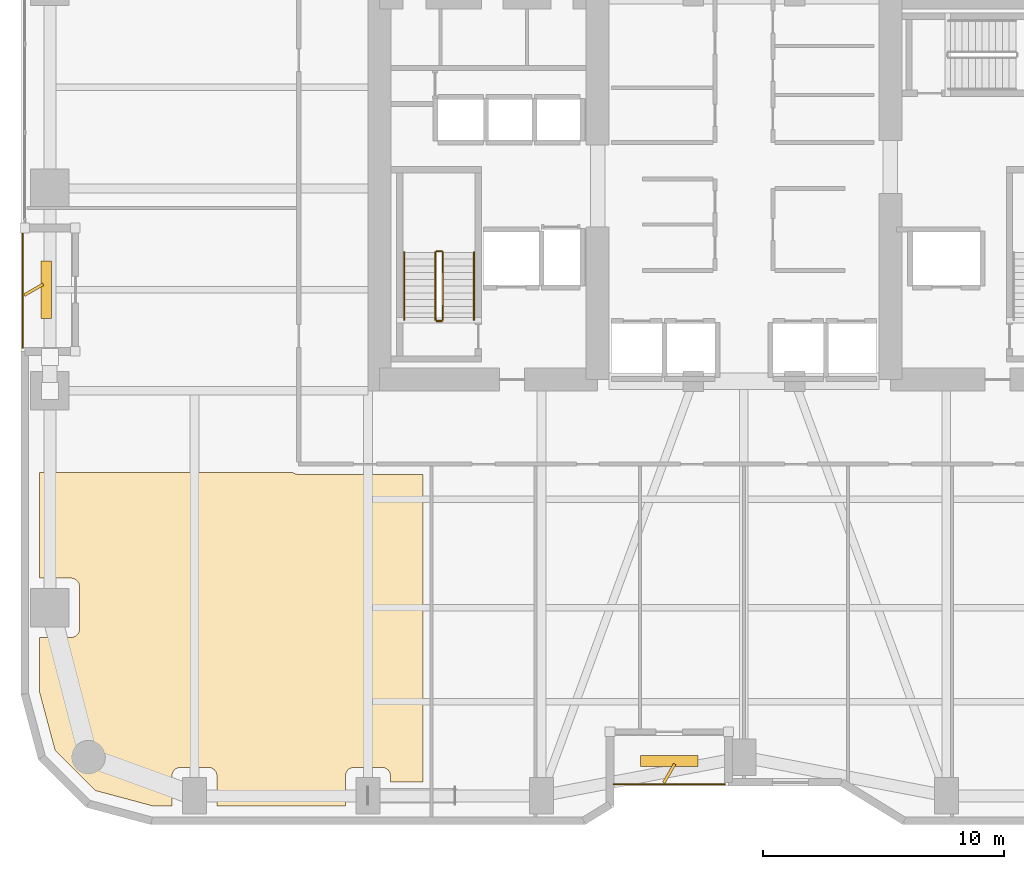
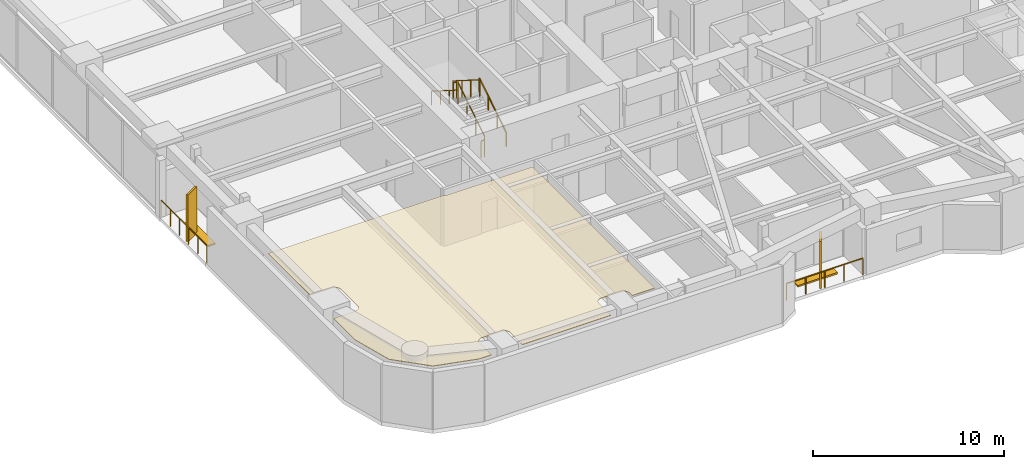
# One storey, part 26 of 28: 8 railings, 4 shading devices, 1 covering.
"""IFC4 building model written with IfcOpenShell, lengths in metres."""

from ifc_helpers import new_model, si_unit, direction, frame, origin, origin_2d, place, context, subcontext, project, spatial, polyline, rectangle, outline, extrude, material, layer, layer_set, type_object, element, save


model = new_model("IFC4")

# Units and contexts
model_context = context("Model", 3, precision=1e-05, world=origin(), true_north=direction((0.0, 1.0)))
body_context = subcontext(model_context, "Body", "Model", "MODEL_VIEW")
ifc_project = project(units=[si_unit("LENGTHUNIT", "METRE"), si_unit("AREAUNIT", "SQUARE_METRE"), si_unit("VOLUMEUNIT", "CUBIC_METRE"), si_unit("PLANEANGLEUNIT", "RADIAN"), si_unit("MASSUNIT", "GRAM", prefix="KILO")], contexts=[model_context])

# Site, building, storey
site_placement = place(None, origin())
site = spatial("IfcSite", under=ifc_project, at=site_placement, CompositionType="ELEMENT")
building_placement = place(site_placement, origin())
building = spatial("IfcBuilding", under=site, at=building_placement, Name="Kiyonajd Concourse Tower", CompositionType="ELEMENT")
storey_placement = place(building_placement, frame((0.0, 0.0, 56.699951171875)))
storey = spatial("IfcBuildingStorey", under=building, at=storey_placement, Name="L15", CompositionType="ELEMENT", Elevation=56.699951171875)

# Covering
ifc_material_1 = material(Name="Natural Oak Acoustic Timber Veneer", Category="wood")
ifc_layer = layer(ifc_material_1, 0.0400390625)
ifc_layer_set = layer_set([ifc_layer], Name="Natural Oak Acoustic Timber Veneer")
covering_type = type_object("IfcCoveringType", Name="CV-CLG-ACST", PredefinedType="CEILING", material=ifc_layer_set)
covering_placement = place(storey_placement, frame((0.0, 0.0, 3.4599609375)))
element("IfcCovering", 1, at=covering_placement, inside=storey, type_object=covering_type, Name="L15-40 Room Acoustic Ceiling", PredefinedType="CEILING", context=body_context, shape_type="SweptSolid", body=[
    extrude(outline(polyline([(19.4140625, 12.697998046875), (18.77001953125, 15.10107421875), (18.77001953125, 17.3701171875), (20.114013671875, 17.3720703125), (20.181884765625, 17.385009765625), (20.2451171875, 17.410888671875), (20.302001953125, 17.448974609375), (20.35107421875, 17.498046875), (20.388916015625, 17.554931640625), (20.4150390625, 17.617919921875), (20.429931640625, 17.719970703125), (20.427978515625, 19.513916015625), (20.403076171875, 19.614013671875), (20.35107421875, 19.701904296875), (20.302001953125, 19.7509765625), (20.2451171875, 19.7890625), (20.14794921875, 19.822998046875), (20.080078125, 19.830078125), (18.77001953125, 19.830078125), (18.77001953125, 24.2099609375), (29.277099609375, 24.2099609375), (29.33203125, 24.176025390625), (29.39501953125, 24.14990234375), (29.52490234375, 24.1298828125), (34.68994140625, 24.1298828125), (34.68994140625, 11.3701171875), (33.330078125, 11.3701171875), (33.327880859375, 11.6640625), (33.302978515625, 11.763916015625), (33.27099609375, 11.823974609375), (33.22705078125, 11.876953125), (33.174072265625, 11.9208984375), (33.114013671875, 11.952880859375), (33.048095703125, 11.972900390625), (32.97998046875, 11.97998046875), (31.785888671875, 11.97802734375), (31.68603515625, 11.952880859375), (31.597900390625, 11.90087890625), (31.549072265625, 11.85205078125), (31.510986328125, 11.794921875), (31.47705078125, 11.697998046875), (31.469970703125, 11.6298828125), (31.469970703125, 10.3701171875), (26.1298828125, 10.3701171875), (26.1279296875, 11.6640625), (26.114990234375, 11.73193359375), (26.089111328125, 11.794921875), (26.027099609375, 11.876953125), (25.945068359375, 11.93896484375), (25.882080078125, 11.965087890625), (25.81396484375, 11.97802734375), (24.5859375, 11.97802734375), (24.486083984375, 11.952880859375), (24.39794921875, 11.90087890625), (24.34912109375, 11.85205078125), (24.31103515625, 11.794921875), (24.277099609375, 11.697998046875), (24.27001953125, 11.6298828125), (24.27001953125, 10.3701171875), (23.5009765625, 10.3701171875), (21.097900390625, 11.013916015625), (19.4140625, 12.697998046875)])), origin(), (0.0, 0.0, 1.0), 0.0400390625),
])

# Railings
ifc_material_2 = material(Name="Thermally Broken Anodised Aluminium", Category="aluminium")
railing_type_1 = type_object("IfcRailingType", Name="RL-GRD-LOG", PredefinedType="GUARDRAIL", material=ifc_material_2)
railing_1_placement = place(storey_placement, frame((42.60009765625, 11.280029296875, 0.0)))
element("IfcRailing", 2, at=railing_1_placement, inside=storey, type_object=railing_type_1, Name="L15 Engawa Loggia Perimeter Guard LOG-S", PredefinedType="GUARDRAIL", context=body_context, shape_type="SweptSolid", body=[
    extrude(rectangle(XDim=0.048095703125, YDim=0.048095703125, at=origin_2d()), frame((0.0, 0.0, 1.076171875), z_axis=(1.0, 0.0, 0.0), x_axis=(0.0, 1.0, 0.0)), (0.0, 0.0, 1.0), 4.599853515625),
    extrude(rectangle(XDim=0.0419921875, YDim=0.0419921875, at=origin_2d()), origin(), (0.0, 0.0, 1.0), 1.052001953125),
    extrude(rectangle(XDim=0.0419921875, YDim=0.0419921875, at=origin_2d()), frame((1.14990234375, 0.0, 0.0)), (0.0, 0.0, 1.0), 1.052001953125),
    extrude(rectangle(XDim=0.0419921875, YDim=0.0419921875, at=origin_2d()), frame((2.2998046875, 0.0, 0.0)), (0.0, 0.0, 1.0), 1.052001953125),
    extrude(rectangle(XDim=0.0419921875, YDim=0.0419921875, at=origin_2d()), frame((3.449951171875, 0.0, 0.0)), (0.0, 0.0, 1.0), 1.052001953125),
    extrude(rectangle(XDim=0.0419921875, YDim=0.0419921875, at=origin_2d()), frame((4.599853515625, 0.0, 0.0)), (0.0, 0.0, 1.0), 1.052001953125),
])
railing_2_placement = place(storey_placement, frame((18.080078125, 34.199951171875, 0.0)))
element("IfcRailing", 3, at=railing_2_placement, inside=storey, type_object=railing_type_1, Name="L15 Engawa Loggia Perimeter Guard LOG-W", PredefinedType="GUARDRAIL", context=body_context, shape_type="SweptSolid", body=[
    extrude(rectangle(XDim=0.048095703125, YDim=0.048095703125, at=origin_2d()), frame((0.0, 0.0, 1.076171875), z_axis=(0.0, -1.0, 0.0), x_axis=(1.0, 0.0, 0.0)), (0.0, 0.0, 1.0), 4.800048828125),
    extrude(rectangle(XDim=0.0419921875, YDim=0.0419921875, at=origin_2d()), origin(), (0.0, 0.0, 1.0), 1.052001953125),
    extrude(rectangle(XDim=0.0419921875, YDim=0.0419921875, at=origin_2d()), frame((0.0, -0.9599609375, 0.0)), (0.0, 0.0, 1.0), 1.052001953125),
    extrude(rectangle(XDim=0.0419921875, YDim=0.0419921875, at=origin_2d()), frame((0.0, -1.919921875, 0.0)), (0.0, 0.0, 1.0), 1.052001953125),
    extrude(rectangle(XDim=0.0419921875, YDim=0.0419921875, at=origin_2d()), frame((0.0, -2.880126953125, 0.0)), (0.0, 0.0, 1.0), 1.052001953125),
    extrude(rectangle(XDim=0.0419921875, YDim=0.0419921875, at=origin_2d()), frame((0.0, -3.840087890625, 0.0)), (0.0, 0.0, 1.0), 1.052001953125),
    extrude(rectangle(XDim=0.0419921875, YDim=0.0419921875, at=origin_2d()), frame((0.0, -4.800048828125, 0.0)), (0.0, 0.0, 1.0), 1.052001953125),
])
ifc_material_3 = material(Name="Steel ASTM A500 Grade C", Category="steel")
railing_type_2 = type_object("IfcRailingType", Name="RL-GRD-STR", PredefinedType="GUARDRAIL", material=ifc_material_3)
railing_3_placement = place(storey_placement, frame((35.5, 30.550048828125, 0.17724609375)))
element("IfcRailing", 4, at=railing_3_placement, inside=storey, type_object=railing_type_2, Name="L15 ST1 stair guard 1", PredefinedType="GUARDRAIL", context=body_context, shape_type="SweptSolid", body=[
    extrude(rectangle(XDim=0.048095703125, YDim=0.048095703125, at=origin_2d()), frame((0.0, 0.0, 1.076171875), z_axis=(0.0, 0.844908973607, 0.534910110503), x_axis=(-1.0, 0.0, 0.0)), (0.0, 0.0, 1.0), 3.31396484375),
    extrude(rectangle(XDim=0.0419921875, YDim=0.0419921875, at=origin_2d()), origin(), (0.0, 0.0, 1.0), 1.052001953125),
    extrude(rectangle(XDim=0.0419921875, YDim=0.0419921875, at=origin_2d()), frame((0.0, 0.933349609375, 0.5908203125)), (0.0, 0.0, 1.0), 1.052001953125),
    extrude(rectangle(XDim=0.0419921875, YDim=0.0419921875, at=origin_2d()), frame((0.0, 1.86669921875, 1.181884765625)), (0.0, 0.0, 1.0), 1.052001953125),
    extrude(rectangle(XDim=0.0419921875, YDim=0.0419921875, at=origin_2d()), frame((0.0, 2.800048828125, 1.772705078125)), (0.0, 0.0, 1.0), 1.052001953125),
])
railing_4_placement = place(storey_placement, frame((35.449951171875, 33.39990234375, 1.949951171875)))
element("IfcRailing", 5, at=railing_4_placement, inside=storey, type_object=railing_type_2, Name="L15 ST1 stair guard 2", PredefinedType="GUARDRAIL", context=body_context, shape_type="SweptSolid", body=[
    extrude(rectangle(XDim=0.048095703125, YDim=0.048095703125, at=origin_2d()), frame((0.0, 0.0, 1.076171875), z_axis=(-1.0, 0.0, 0.0), x_axis=(0.0, -1.0, 0.0)), (0.0, 0.0, 1.0), 0.199951171875),
    extrude(rectangle(XDim=0.0419921875, YDim=0.0419921875, at=origin_2d()), origin(), (0.0, 0.0, 1.0), 1.052001953125),
    extrude(rectangle(XDim=0.0419921875, YDim=0.0419921875, at=origin_2d()), frame((-0.199951171875, 0.0, 0.0)), (0.0, 0.0, 1.0), 1.052001953125),
])
railing_5_placement = place(storey_placement, frame((35.199951171875, 33.35009765625, 2.12744140625)))
element("IfcRailing", 6, at=railing_5_placement, inside=storey, type_object=railing_type_2, Name="L15 ST1 stair guard 3", PredefinedType="GUARDRAIL", context=body_context, shape_type="SweptSolid", body=[
    extrude(rectangle(XDim=0.048095703125, YDim=0.048095703125, at=origin_2d()), frame((0.0, 0.0, 1.076171875), z_axis=(0.0, -0.844908973607, 0.534910110503), x_axis=(1.0, 0.0, 0.0)), (0.0, 0.0, 1.0), 3.31396484375),
    extrude(rectangle(XDim=0.0419921875, YDim=0.0419921875, at=origin_2d()), origin(), (0.0, 0.0, 1.0), 1.052001953125),
    extrude(rectangle(XDim=0.0419921875, YDim=0.0419921875, at=origin_2d()), frame((0.0, -0.933349609375, 0.5908203125)), (0.0, 0.0, 1.0), 1.052001953125),
    extrude(rectangle(XDim=0.0419921875, YDim=0.0419921875, at=origin_2d()), frame((0.0, -1.86669921875, 1.181884765625)), (0.0, 0.0, 1.0), 1.052001953125),
    extrude(rectangle(XDim=0.0419921875, YDim=0.0419921875, at=origin_2d()), frame((0.0, -2.800048828125, 1.772705078125)), (0.0, 0.0, 1.0), 1.052001953125),
])
railing_6_placement = place(storey_placement, frame((35.449951171875, 30.5, 0.0)))
element("IfcRailing", 7, at=railing_6_placement, inside=storey, type_object=railing_type_2, Name="L15 ST1 stair guard 4", PredefinedType="GUARDRAIL", context=body_context, shape_type="SweptSolid", body=[
    extrude(rectangle(XDim=0.048095703125, YDim=0.048095703125, at=origin_2d()), frame((0.0, 0.0, 1.076171875), z_axis=(-1.0, 0.0, 0.0), x_axis=(0.0, -1.0, 0.0)), (0.0, 0.0, 1.0), 0.199951171875),
    extrude(rectangle(XDim=0.0419921875, YDim=0.0419921875, at=origin_2d()), origin(), (0.0, 0.0, 1.0), 1.052001953125),
    extrude(rectangle(XDim=0.0419921875, YDim=0.0419921875, at=origin_2d()), frame((-0.199951171875, 0.0, 0.0)), (0.0, 0.0, 1.0), 1.052001953125),
])
ifc_material_4 = material(Name="Brushed Stainless Steel Cab Assembly", Category="steel")
railing_type_3 = type_object("IfcRailingType", Name="RL-HND-900", PredefinedType="HANDRAIL", material=ifc_material_4)
railing_7_placement = place(storey_placement, frame((36.800048828125, 30.550048828125, 0.17724609375)))
element("IfcRailing", 8, at=railing_7_placement, inside=storey, type_object=railing_type_3, Name="L15 ST1 stair handrail 1", PredefinedType="HANDRAIL", context=body_context, shape_type="SweptSolid", body=[
    extrude(rectangle(XDim=0.048095703125, YDim=0.048095703125, at=origin_2d()), frame((0.0, 0.0, 0.8759765625), z_axis=(0.0, 0.844908973607, 0.534910110503), x_axis=(-1.0, 0.0, 0.0)), (0.0, 0.0, 1.0), 3.31396484375),
    extrude(rectangle(XDim=0.0419921875, YDim=0.0419921875, at=origin_2d()), origin(), (0.0, 0.0, 1.0), 0.851806640625),
    extrude(rectangle(XDim=0.0419921875, YDim=0.0419921875, at=origin_2d()), frame((0.0, 0.933349609375, 0.5908203125)), (0.0, 0.0, 1.0), 0.851806640625),
    extrude(rectangle(XDim=0.0419921875, YDim=0.0419921875, at=origin_2d()), frame((0.0, 1.86669921875, 1.181884765625)), (0.0, 0.0, 1.0), 0.851806640625),
    extrude(rectangle(XDim=0.0419921875, YDim=0.0419921875, at=origin_2d()), frame((0.0, 2.800048828125, 1.772705078125)), (0.0, 0.0, 1.0), 0.851806640625),
])
railing_8_placement = place(storey_placement, frame((33.89990234375, 33.35009765625, 2.12744140625)))
element("IfcRailing", 9, at=railing_8_placement, inside=storey, type_object=railing_type_3, Name="L15 ST1 stair handrail 2", PredefinedType="HANDRAIL", context=body_context, shape_type="SweptSolid", body=[
    extrude(rectangle(XDim=0.048095703125, YDim=0.048095703125, at=origin_2d()), frame((0.0, 0.0, 0.8759765625), z_axis=(0.0, -0.844908973607, 0.534910110503), x_axis=(1.0, 0.0, 0.0)), (0.0, 0.0, 1.0), 3.31396484375),
    extrude(rectangle(XDim=0.0419921875, YDim=0.0419921875, at=origin_2d()), origin(), (0.0, 0.0, 1.0), 0.851806640625),
    extrude(rectangle(XDim=0.0419921875, YDim=0.0419921875, at=origin_2d()), frame((0.0, -0.933349609375, 0.5908203125)), (0.0, 0.0, 1.0), 0.851806640625),
    extrude(rectangle(XDim=0.0419921875, YDim=0.0419921875, at=origin_2d()), frame((0.0, -1.86669921875, 1.181884765625)), (0.0, 0.0, 1.0), 0.851806640625),
    extrude(rectangle(XDim=0.0419921875, YDim=0.0419921875, at=origin_2d()), frame((0.0, -2.800048828125, 1.772705078125)), (0.0, 0.0, 1.0), 0.851806640625),
])

# Shading devices
ifc_material_5 = material(Name="Precast concrete C50/60", Category="concrete")
shading_device_type_1 = type_object("IfcShadingDeviceType", Name="SH-FIN-900", PredefinedType="USERDEFINED", material=ifc_material_5)
for number, where, z_axis, x_axis, name in (
    (10, (44.89990234375, 11.72998046875, 0.0), (0.0, 0.0, 1.0), (0.5, 0.866025403784, 0.0), "L15 Angled Koshi Solar Fin LOG-S"),
    (11, (18.530029296875, 31.800048828125, 0.0), (0.0, 0.0, 1.0), (0.866025403784, 0.5, 0.0), "L15 Angled Koshi Solar Fin LOG-W"),
):
    element("IfcShadingDevice", number, at=place(storey_placement, frame(where, z_axis=z_axis, x_axis=x_axis)), inside=storey, type_object=shading_device_type_1, Name=name, ObjectType="FIN", PredefinedType="USERDEFINED", context=body_context, shape_type="SweptSolid", body=[
        extrude(rectangle(XDim=0.89990234375, YDim=0.1201171875, at=origin_2d()), origin(), (0.0, 0.0, 1.0), 3.0),
    ])
shading_device_type_2 = type_object("IfcShadingDeviceType", Name="SH-LVR-600", PredefinedType="JALOUSIE", material=ifc_material_2)
for number, where, z_axis, x_axis, name in (
    (12, (44.89990234375, 12.25, 0.0), (0.0, 0.0, 1.0), (1.0, 0.0, 0.0), "L15 Loggia Threshold Louver LOG-S"),
    (13, (19.050048828125, 31.800048828125, 0.0), (0.0, 0.0, 1.0), (0.0, 1.0, 0.0), "L15 Loggia Threshold Louver LOG-W"),
):
    element("IfcShadingDevice", number, at=place(storey_placement, frame(where, z_axis=z_axis, x_axis=x_axis)), inside=storey, type_object=shading_device_type_2, Name=name, PredefinedType="JALOUSIE", context=body_context, shape_type="SweptSolid", body=[
        extrude(rectangle(XDim=2.39990234375, YDim=0.449951171875, at=origin_2d()), origin(), (0.0, 0.0, 1.0), 0.10009765625),
    ])

save(model, "model.ifc")
